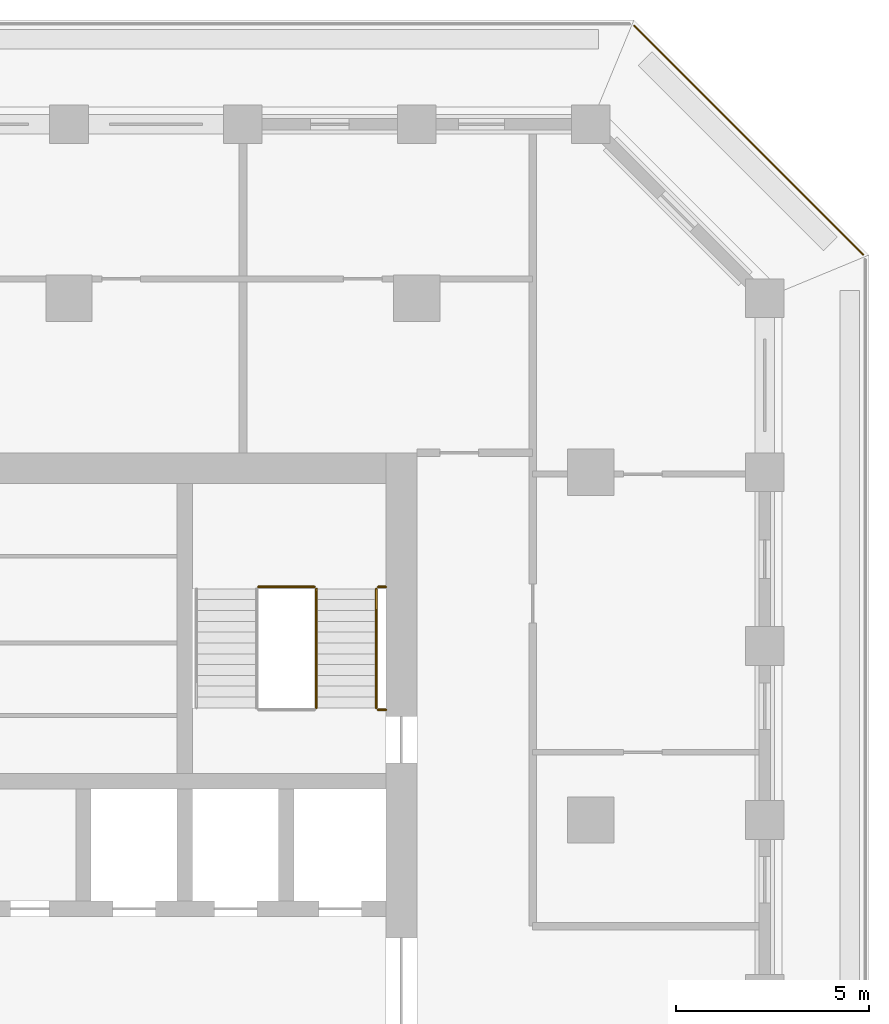
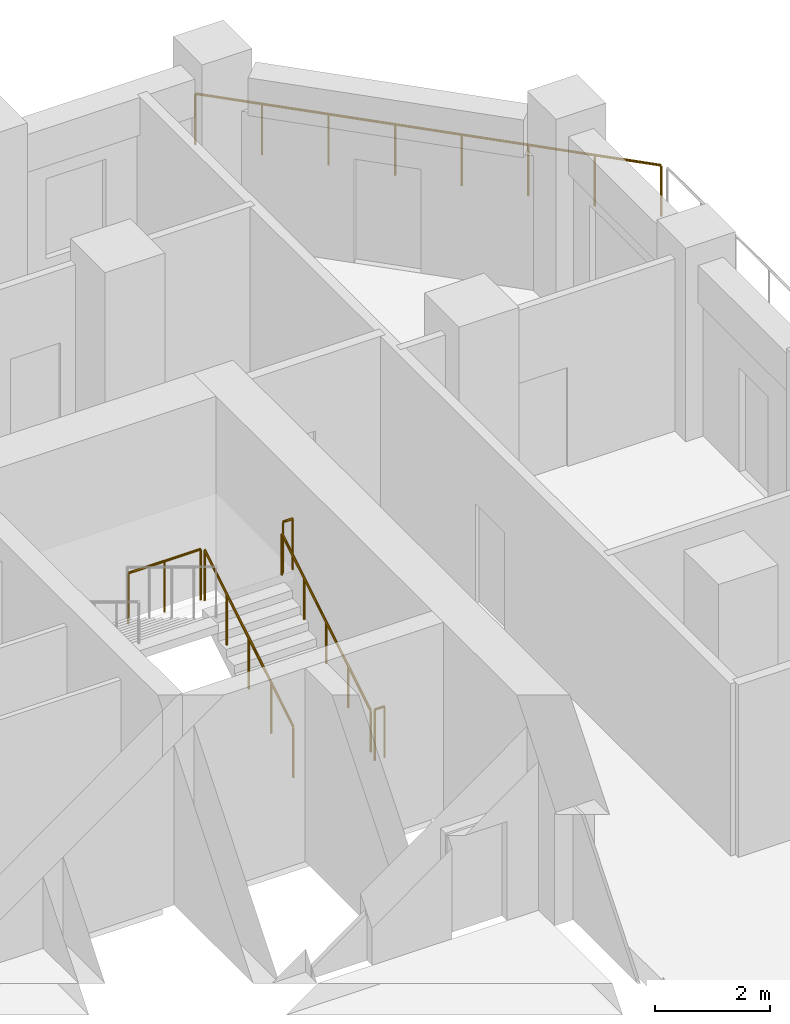
# One storey, part 15 of 16: 6 railings.
"""IFC4 building model written with IfcOpenShell, lengths in metres."""

import ifcopenshell
import ifcopenshell.guid

model = None  # the IFC model being written
_history = None  # IfcOwnerHistory: only IFC2X3 demands one
_inside = {}  # id of a spatial element -> (the spatial element, [elements in it])
_under = {}  # id of a project, library or spatial element -> (it, [spatial elements below it])
_declared = {}  # id of a project -> (the project, [libraries it declares])
_typed = {}  # id of a type object -> (the type object, [elements of that type])
_made_of = {}  # id of a material, layer set ... -> (it, [elements and type objects made of it])


def new_model(schema):
    """Start an empty IFC model of exactly this schema.

    Asked for "IFC4X3", IfcOpenShell would pick the latest addendum, in which some entities
    have other attributes; the version numbers below select the first issue.
    IFC2X3 requires an IfcOwnerHistory on every rooted entity: one is made here for all.
    """
    global model, _history
    if schema == "IFC4X3":
        model = ifcopenshell.file(schema_version=(4, 3, 0, 0))
    else:
        model = ifcopenshell.file(schema=schema)
    _inside.clear()
    _under.clear()
    _declared.clear()
    _typed.clear()
    _made_of.clear()
    _history = None
    if model.schema == "IFC2X3":
        org = make("IfcOrganization", Name="unknown")
        user = make(
            "IfcPersonAndOrganization",
            ThePerson=make("IfcPerson", FamilyName="unknown"),
            TheOrganization=org,
        )
        app = make(
            "IfcApplication",
            ApplicationDeveloper=org,
            Version="unknown",
            ApplicationFullName="unknown",
            ApplicationIdentifier="unknown",
        )
        _history = make(
            "IfcOwnerHistory",
            OwningUser=user,
            OwningApplication=app,
            ChangeAction="ADDED",
            CreationDate=0,
        )
    return model


def make(cls, **values):
    """One entity of the class cls with the attributes given. An attribute that is None is left unset."""
    return model.create_entity(
        cls, **{name: value for name, value in values.items() if value is not None}
    )


def rooted(cls, **values):
    """An entity with a GlobalId (a new one), such as an element, a storey or a relation."""
    return make(cls, GlobalId=ifcopenshell.guid.new(), OwnerHistory=_history, **values)


def si_unit(unit_type, name, prefix=None):
    """IfcSIUnit, for example si_unit("LENGTHUNIT", "METRE", prefix="MILLI")."""
    return make("IfcSIUnit", UnitType=unit_type, Prefix=prefix, Name=name)


def assignment(units):
    """IfcUnitAssignment: the units of a project."""
    return None if units is None else make("IfcUnitAssignment", Units=units)


def point(xyz):
    """IfcCartesianPoint."""
    return None if xyz is None else make("IfcCartesianPoint", Coordinates=xyz)


def direction(xyz):
    """IfcDirection."""
    return None if xyz is None else make("IfcDirection", DirectionRatios=xyz)


def frame(location, z_axis=None, x_axis=None):
    """IfcAxis2Placement3D, a coordinate frame: its origin and axes. An axis left out is left unset."""
    return make(
        "IfcAxis2Placement3D",
        Location=point(location),
        Axis=direction(z_axis),
        RefDirection=direction(x_axis),
    )


def frame_2d(location, x_axis=None):
    """IfcAxis2Placement2D, a coordinate frame in the plane: its origin and x axis."""
    return make(
        "IfcAxis2Placement2D", Location=point(location), RefDirection=direction(x_axis)
    )


def origin():
    """The frame at (0, 0, 0) with its axes left unset."""
    return frame((0.0, 0.0, 0.0))


def origin_2d():
    """The frame at (0, 0) in the plane with its x axis left unset."""
    return frame_2d((0.0, 0.0))


def place(relative_to, where):
    """IfcLocalPlacement: puts the frame where relative to a parent placement (None: the world)."""
    return make(
        "IfcLocalPlacement", PlacementRelTo=relative_to, RelativePlacement=where
    )


def context(
    kind, dimensions, precision=None, world=None, true_north=None, identifier=None
):
    """IfcGeometricRepresentationContext, for example the 3D "Model" context."""
    return make(
        "IfcGeometricRepresentationContext",
        ContextIdentifier=identifier,
        ContextType=kind,
        CoordinateSpaceDimension=dimensions,
        Precision=precision,
        WorldCoordinateSystem=world,
        TrueNorth=true_north,
    )


def subcontext(parent, identifier, kind, view, scale=None):
    """IfcGeometricRepresentationSubContext, for example "Body" below "Model"."""
    return make(
        "IfcGeometricRepresentationSubContext",
        ContextIdentifier=identifier,
        ContextType=kind,
        ParentContext=parent,
        TargetScale=scale,
        TargetView=view,
    )


def project(units=None, contexts=None):
    """IfcProject with its units and contexts."""
    return rooted(
        "IfcProject",
        Name="project",
        RepresentationContexts=contexts,
        UnitsInContext=assignment(units),
    )


def spatial(cls, under=None, at=None, **own):
    """A site, building, storey or space (cls), placed at a placement, below another one or the project."""
    s = rooted(cls, ObjectPlacement=at, **own)
    if under is not None:
        _under.setdefault(under.id(), (under, []))[1].append(s)
    return s


def profile(cls, at=None, kind="AREA", **sizes):
    """A parametric profile (cls). Its sizes go by their IFC names, for example OverallWidth=200.0."""
    return make(cls, ProfileType=kind, Position=at, **sizes)


def circle(**sizes):
    """IfcCircleProfileDef."""
    return profile("IfcCircleProfileDef", **sizes)


def extrude(swept, where, along, depth):
    """IfcExtrudedAreaSolid: the profile swept, set in the frame where, extruded along a direction by depth."""
    return make(
        "IfcExtrudedAreaSolid",
        SweptArea=swept,
        Position=where,
        ExtrudedDirection=direction(along),
        Depth=depth,
    )


def shape(context_of_items, identifier, shape_type, items):
    """IfcShapeRepresentation: the items that make up one representation, for example the "Body"."""
    return make(
        "IfcShapeRepresentation",
        ContextOfItems=context_of_items,
        RepresentationIdentifier=identifier,
        RepresentationType=shape_type,
        Items=items,
    )


def material(Name=None, Category=None):
    """IfcMaterial."""
    return make("IfcMaterial", Name=Name, Category=Category)


def made_of(thing, what):
    """Note that an element or type object is made of a material, layer set ...; save() writes the relation."""
    if what is not None:
        _made_of.setdefault(what.id(), (what, []))[1].append(thing)
    return thing


def type_object(cls, material=None, **own):
    """A type object (cls), such as IfcWallType, which elements share."""
    return made_of(rooted(cls, **own), material)


def element(
    cls,
    number,
    at=None,
    inside=None,
    cuts=None,
    type_object=None,
    material=None,
    context=None,
    identifier="Body",
    shape_type=None,
    held_by="IfcProductDefinitionShape",
    body=None,
    shapes=None,
    **own,
):
    """One element of the class cls, such as IfcWall. Its Tag is "e" and its number.

    at: its placement. inside: the storey or other place that contains it. cuts: it is an
    opening in that element (IfcRelVoidsElement). A single representation is given by context,
    identifier, shape_type and body (its items); several are given by shapes. held_by: the class
    of the entity that holds the representations. save() writes the other relations.
    """
    e = rooted(cls, Tag="e%d" % number, ObjectPlacement=at, **own)
    if body is not None:
        shapes = [shape(context, identifier, shape_type, body)]
    if shapes is not None:
        e.Representation = make(held_by, Representations=shapes)
    if inside is not None:
        _inside.setdefault(inside.id(), (inside, []))[1].append(e)
    if cuts is not None:
        rooted(
            "IfcRelVoidsElement", RelatingBuildingElement=cuts, RelatedOpeningElement=e
        )
    if type_object is not None:
        _typed.setdefault(type_object.id(), (type_object, []))[1].append(e)
    return made_of(e, material)


def aggregate(whole, parts):
    """IfcRelAggregates: a whole, such as a stair, and the parts it consists of."""
    return rooted("IfcRelAggregates", RelatingObject=whole, RelatedObjects=parts)


def save(model, path):
    """Write the relations noted so far, then the file.

    IfcRelAggregates (storeys below a building ...), IfcRelContainedInSpatialStructure (elements
    in a storey), IfcRelDefinesByType, IfcRelAssociatesMaterial and IfcRelDeclares: one each for
    every whole, place, type object, material and project.
    """
    for whole, parts in _under.values():
        aggregate(whole, parts)
    for where, things in _inside.values():
        rooted(
            "IfcRelContainedInSpatialStructure",
            RelatedElements=things,
            RelatingStructure=where,
        )
    for kind, things in _typed.values():
        rooted("IfcRelDefinesByType", RelatedObjects=things, RelatingType=kind)
    for what, things in _made_of.values():
        rooted("IfcRelAssociatesMaterial", RelatedObjects=things, RelatingMaterial=what)
    for by, libraries in _declared.values():
        rooted("IfcRelDeclares", RelatingContext=by, RelatedDefinitions=libraries)
    model.write(path)


model = new_model("IFC4")

# Units and contexts
model_context = context("Model", 3, precision=1e-05, world=origin(), true_north=direction((0.0, 1.0)))
body_context = subcontext(model_context, "Body", "Model", "MODEL_VIEW")
ifc_project = project(units=[si_unit("LENGTHUNIT", "METRE"), si_unit("AREAUNIT", "SQUARE_METRE"), si_unit("VOLUMEUNIT", "CUBIC_METRE"), si_unit("PLANEANGLEUNIT", "RADIAN"), si_unit("MASSUNIT", "GRAM", prefix="KILO")], contexts=[model_context])

# Site, building, storey
site_placement = place(None, origin())
site = spatial("IfcSite", under=ifc_project, at=site_placement, CompositionType="ELEMENT")
building_placement = place(site_placement, origin())
building = spatial("IfcBuilding", under=site, at=building_placement, Name="Corbel Stack Research Tower", CompositionType="ELEMENT")
storey_placement = place(building_placement, frame((0.0, 0.0, 160.89990234375)))
storey = spatial("IfcBuildingStorey", under=building, at=storey_placement, Name="L36", CompositionType="ELEMENT", Elevation=160.89990234375)

# Railings
ifc_material_1 = material(Name="Steel S355", Category="steel")
railing_type_1 = type_object("IfcRailingType", Name="Stair guard 1100", PredefinedType="GUARDRAIL", material=ifc_material_1)
railing_1_placement = place(storey_placement, frame((15.39990234375, 11.89990234375, 0.1708984375)))
element("IfcRailing", 1, at=railing_1_placement, inside=storey, type_object=railing_type_1, Name="L36 ST-E2 stair guard 1", PredefinedType="GUARDRAIL", context=body_context, shape_type="SweptSolid", body=[
    extrude(circle(Radius=0.02392578125, at=origin_2d()), frame((0.0, 0.0, 1.076171875), z_axis=(0.0, 0.853666305674, 0.52082035152), x_axis=(-1.0, 0.0, 0.0)), (0.0, 0.0, 1.0), 3.608154296875),
    extrude(circle(Radius=0.02099609375, at=origin_2d()), origin(), (0.0, 0.0, 1.0), 1.052001953125),
    extrude(circle(Radius=0.02099609375, at=origin_2d()), frame((0.0, 0.77001953125, 0.4697265625)), (0.0, 0.0, 1.0), 1.052001953125),
    extrude(circle(Radius=0.02099609375, at=origin_2d()), frame((0.0, 1.5400390625, 0.939453125)), (0.0, 0.0, 1.0), 1.052001953125),
    extrude(circle(Radius=0.02099609375, at=origin_2d()), frame((0.0, 2.31005859375, 1.409423828125)), (0.0, 0.0, 1.0), 1.052001953125),
    extrude(circle(Radius=0.02099609375, at=origin_2d()), frame((0.0, 3.080078125, 1.879150390625)), (0.0, 0.0, 1.0), 1.052001953125),
])
railing_2_placement = place(storey_placement, frame((15.35009765625, 15.030029296875, 2.050048828125)))
element("IfcRailing", 2, at=railing_2_placement, inside=storey, type_object=railing_type_1, Name="L36 ST-E2 stair guard 2", PredefinedType="GUARDRAIL", context=body_context, shape_type="SweptSolid", body=[
    extrude(circle(Radius=0.02392578125, at=origin_2d()), frame((0.0, 0.0, 1.076171875), z_axis=(-1.0, 0.0, 0.0), x_axis=(0.0, -1.0, 0.0)), (0.0, 0.0, 1.0), 1.4501953125),
    extrude(circle(Radius=0.02099609375, at=origin_2d()), origin(), (0.0, 0.0, 1.0), 1.052001953125),
    extrude(circle(Radius=0.02099609375, at=origin_2d()), frame((-0.72509765625, 0.0, 0.0)), (0.0, 0.0, 1.0), 1.052001953125),
    extrude(circle(Radius=0.02099609375, at=origin_2d()), frame((-1.4501953125, 0.0, 0.0)), (0.0, 0.0, 1.0), 1.052001953125),
])
for number, where, name in (
    (3, (17.199951171875, 15.030029296875, 2.050048828125), "L36 ST-E2 stair guard 3"),
    (4, (17.199951171875, 11.85009765625, 0.0), "L36 ST-E2 stair guard 6"),
):
    element("IfcRailing", number, at=place(storey_placement, frame(where)), inside=storey, type_object=railing_type_1, Name=name, PredefinedType="GUARDRAIL", context=body_context, shape_type="SweptSolid", body=[
        extrude(circle(Radius=0.02392578125, at=origin_2d()), frame((0.0, 0.0, 1.076171875), z_axis=(-1.0, 0.0, 0.0), x_axis=(0.0, -1.0, 0.0)), (0.0, 0.0, 1.0), 0.199951171875),
        extrude(circle(Radius=0.02099609375, at=origin_2d()), origin(), (0.0, 0.0, 1.0), 1.052001953125),
        extrude(circle(Radius=0.02099609375, at=origin_2d()), frame((-0.199951171875, 0.0, 0.0)), (0.0, 0.0, 1.0), 1.052001953125),
    ])
ifc_material_2 = material(Name="Steel S355", Category="steel")
railing_type_2 = type_object("IfcRailingType", Name="Stair handrail 900", PredefinedType="HANDRAIL", material=ifc_material_2)
railing_3_placement = place(storey_placement, frame((16.949951171875, 11.89990234375, 0.1708984375)))
element("IfcRailing", 5, at=railing_3_placement, inside=storey, type_object=railing_type_2, Name="L36 ST-E2 stair handrail 1", PredefinedType="HANDRAIL", context=body_context, shape_type="SweptSolid", body=[
    extrude(circle(Radius=0.02392578125, at=origin_2d()), frame((0.0, 0.0, 0.8759765625), z_axis=(0.0, 0.853666305674, 0.52082035152), x_axis=(-1.0, 0.0, 0.0)), (0.0, 0.0, 1.0), 3.608154296875),
    extrude(circle(Radius=0.02099609375, at=origin_2d()), origin(), (0.0, 0.0, 1.0), 0.851806640625),
    extrude(circle(Radius=0.02099609375, at=origin_2d()), frame((0.0, 0.77001953125, 0.4697265625)), (0.0, 0.0, 1.0), 0.851806640625),
    extrude(circle(Radius=0.02099609375, at=origin_2d()), frame((0.0, 1.5400390625, 0.939453125)), (0.0, 0.0, 1.0), 0.851806640625),
    extrude(circle(Radius=0.02099609375, at=origin_2d()), frame((0.0, 2.31005859375, 1.409423828125)), (0.0, 0.0, 1.0), 0.851806640625),
    extrude(circle(Radius=0.02099609375, at=origin_2d()), frame((0.0, 3.080078125, 1.879150390625)), (0.0, 0.0, 1.0), 0.851806640625),
])
ifc_material_3 = material(Name="Powder-coated steel guard", Category="steel")
railing_type_3 = type_object("IfcRailingType", Name="Steel and glass guard 1100", PredefinedType="GUARDRAIL", material=ifc_material_3)
railing_4_placement = place(storey_placement, frame((29.54931640625, 23.627685546875, 0.0)))
element("IfcRailing", 6, at=railing_4_placement, inside=storey, type_object=railing_type_3, Name="Loggia guard L36 NE", PredefinedType="GUARDRAIL", context=body_context, shape_type="SweptSolid", body=[
    extrude(circle(Radius=0.02392578125, at=origin_2d()), frame((0.0, 0.0, 1.076171875), z_axis=(-0.707106781187, 0.707106781187, 0.0), x_axis=(-0.707106781187, -0.707106781187, 0.0)), (0.0, 0.0, 1.0), 8.37451171875),
    extrude(circle(Radius=0.02099609375, at=origin_2d()), origin(), (0.0, 0.0, 1.0), 1.052001953125),
    extrude(circle(Radius=0.02099609375, at=origin_2d()), frame((-0.845947265625, 0.845947265625, 0.0)), (0.0, 0.0, 1.0), 1.052001953125),
    extrude(circle(Radius=0.02099609375, at=origin_2d()), frame((-1.69189453125, 1.69189453125, 0.0)), (0.0, 0.0, 1.0), 1.052001953125),
    extrude(circle(Radius=0.02099609375, at=origin_2d()), frame((-2.537841796875, 2.537841796875, 0.0)), (0.0, 0.0, 1.0), 1.052001953125),
    extrude(circle(Radius=0.02099609375, at=origin_2d()), frame((-3.3837890625, 3.3837890625, 0.0)), (0.0, 0.0, 1.0), 1.052001953125),
    extrude(circle(Radius=0.02099609375, at=origin_2d()), frame((-4.229736328125, 4.229736328125, 0.0)), (0.0, 0.0, 1.0), 1.052001953125),
    extrude(circle(Radius=0.02099609375, at=origin_2d()), frame((-5.07568359375, 5.07568359375, 0.0)), (0.0, 0.0, 1.0), 1.052001953125),
    extrude(circle(Radius=0.02099609375, at=origin_2d()), frame((-5.921630859375, 5.921630859375, 0.0)), (0.0, 0.0, 1.0), 1.052001953125),
])

save(model, "model.ifc")
